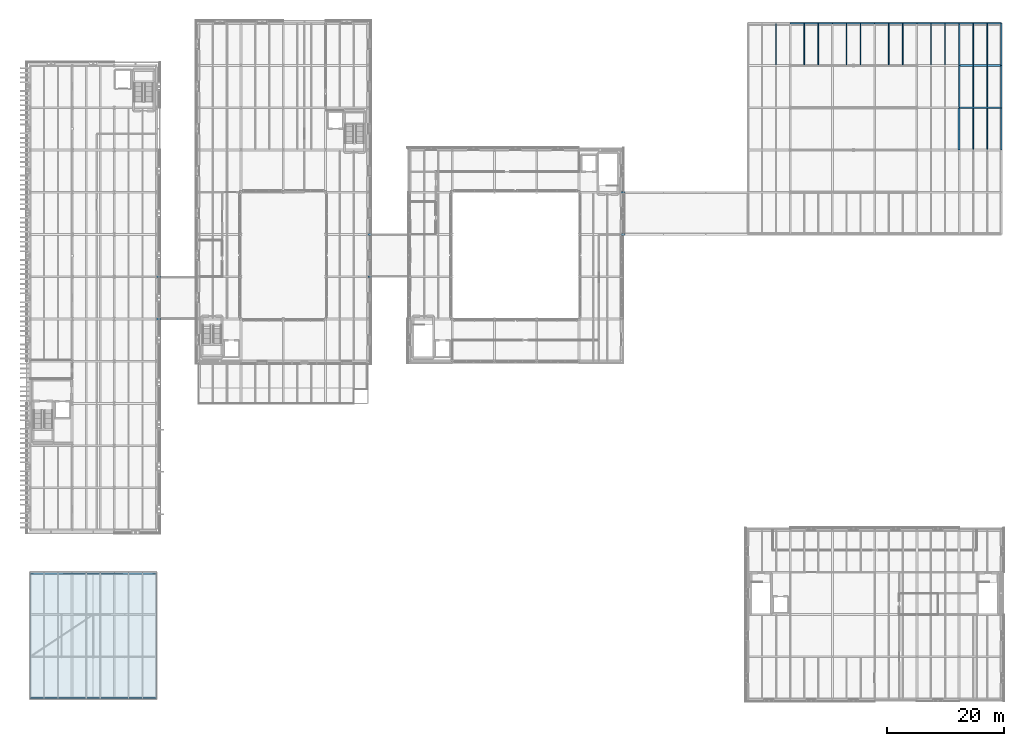
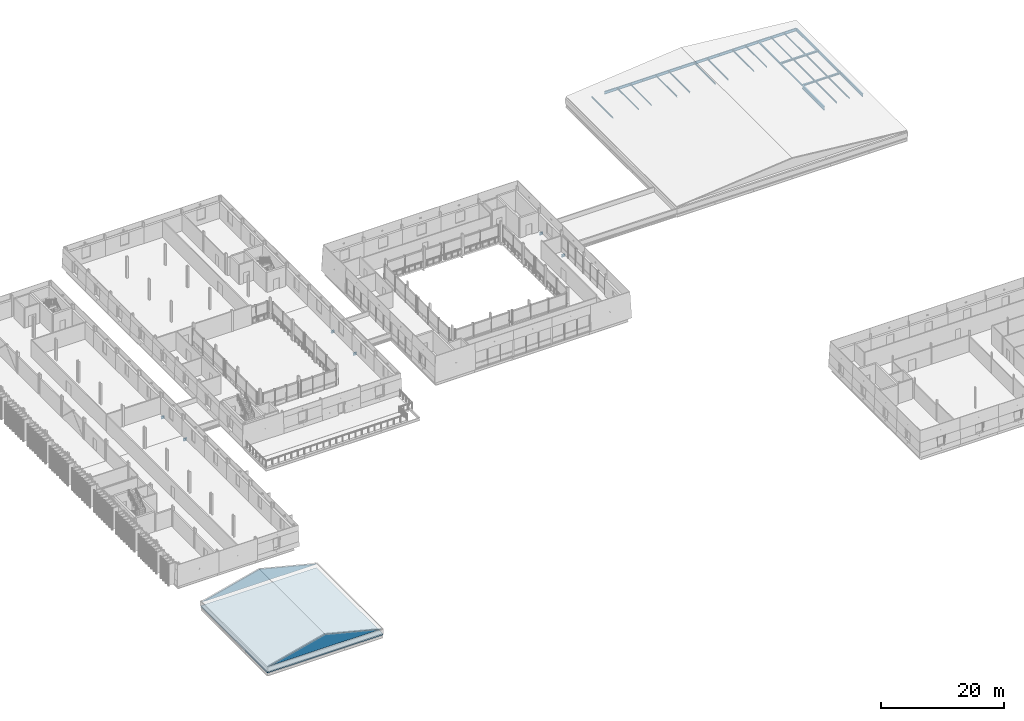
# One storey, part 36 of 91: 34 beams, 2 plates, 1 slab.
"""IFC4 building model written with IfcOpenShell, lengths in metres."""

from ifc_helpers import new_model, si_unit, direction, frame, origin, origin_2d, place, context, subcontext, project, spatial, polyline, i_section, outline, extrude, material, layer, layer_set, material_profile, profile_set, type_object, element, save


model = new_model("IFC4")

# Units and contexts
model_context = context("Model", 3, precision=1e-05, world=origin(), true_north=direction((0.0, 1.0)))
body_context = subcontext(model_context, "Body", "Model", "MODEL_VIEW")
ifc_project = project(units=[si_unit("LENGTHUNIT", "METRE"), si_unit("AREAUNIT", "SQUARE_METRE"), si_unit("VOLUMEUNIT", "CUBIC_METRE"), si_unit("PLANEANGLEUNIT", "RADIAN"), si_unit("MASSUNIT", "GRAM", prefix="KILO")], contexts=[model_context])

# Site, building, storey
site_placement = place(None, origin())
site = spatial("IfcSite", under=ifc_project, at=site_placement, CompositionType="ELEMENT")
building_placement = place(site_placement, origin())
building = spatial("IfcBuilding", under=site, at=building_placement, Name="Narikvali Park Central Library", CompositionType="ELEMENT")
storey_placement = place(building_placement, frame((0.0, 0.0, 14.39990234375)))
storey = spatial("IfcBuildingStorey", under=building, at=storey_placement, Name="L03", CompositionType="ELEMENT", Elevation=14.39990234375)

# Beams
ifc_material_1 = material(Name="Steel S355", Category="steel")
ifc_material_profile_1 = material_profile(ifc_material_1, i_section(OverallWidth=0.300048828125, OverallDepth=0.449951171875, WebThickness=0.013916015625, FlangeThickness=0.02587890625, FilletRadius=0.027099609375, at=origin_2d()), Name="HEB 450")
ifc_profile_set_1 = profile_set([ifc_material_profile_1], Name="Steel S355")
beam_type_1 = type_object("IfcBeamType", Name="Bridge Sliding Corbel Seat HEB450", PredefinedType="BEAM", material=ifc_profile_set_1)
for number, where, z_axis, x_axis, name in (
    (1, (21.60009765625, 64.800048828125, -0.89501953125), (1.0, 0.0, 0.0), (0.0, 1.0, 0.0), "BRG-1 L03 Bridge Sliding Corbel Seat 650 1"),
    (2, (21.60009765625, 72.0, -0.89501953125), (1.0, 0.0, 0.0), (0.0, 1.0, 0.0), "BRG-1 L03 Bridge Sliding Corbel Seat 650 2"),
    (3, (57.60009765625, 72.0, -0.89501953125), (1.0, 0.0, 0.0), (0.0, 1.0, 0.0), "BRG-2 L03 Bridge Sliding Corbel Seat 650 1"),
    (4, (57.60009765625, 79.199951171875, -0.89501953125), (1.0, 0.0, 0.0), (0.0, 1.0, 0.0), "BRG-2 L03 Bridge Sliding Corbel Seat 650 2"),
    (5, (100.800048828125, 79.199951171875, -0.934814453125), (1.0, 0.0, 0.0), (0.0, 1.0, 0.0), "BRG-3 L03 Bridge Sliding Corbel Seat 650 1"),
    (6, (100.800048828125, 86.39990234375, -0.934814453125), (1.0, 0.0, 0.0), (0.0, 1.0, 0.0), "BRG-3 L03 Bridge Sliding Corbel Seat 650 2"),
):
    element("IfcBeam", number, at=place(storey_placement, frame(where, z_axis=z_axis, x_axis=x_axis)), inside=storey, type_object=beam_type_1, Name=name, PredefinedType="BEAM", context=body_context, shape_type="SweptSolid", body=[
        extrude(i_section(OverallWidth=0.300048828125, OverallDepth=0.449951171875, WebThickness=0.013916015625, FlangeThickness=0.02587890625, FilletRadius=0.027099609375, at=origin_2d()), origin(), (0.0, 0.0, 1.0), 0.64990234375),
    ])
ifc_material_profile_2 = material_profile(ifc_material_1, i_section(OverallWidth=0.135009765625, OverallDepth=0.27001953125, WebThickness=0.006591796875, FlangeThickness=0.01025390625, FilletRadius=0.014892578125, at=origin_2d()), Name="IPE 270")
ifc_profile_set_2 = profile_set([ifc_material_profile_2], Name="Steel S355")
beam_type_2 = type_object("IfcBeamType", Name="Composite Floor Joist IPE270", PredefinedType="JOIST", material=ifc_profile_set_2)
for number, where, z_axis, x_axis, name in (
    (7, (127.199951171875, 108.14990234375, -0.375), (0.0, 1.0, 0.0), (-1.0, 0.0, 0.0), "V3 L03 Composite Joist 2"),
    (8, (132.0, 108.14990234375, -0.375), (0.0, 1.0, 0.0), (-1.0, 0.0, 0.0), "V3 L03 Composite Joist 1"),
    (9, (134.39990234375, 108.14990234375, -0.375), (0.0, 1.0, 0.0), (-1.0, 0.0, 0.0), "V3 L03 Composite Joist 2"),
    (10, (139.199951171875, 108.14990234375, -0.375), (0.0, 1.0, 0.0), (-1.0, 0.0, 0.0), "V3 L03 Composite Joist 1"),
    (11, (141.60009765625, 108.14990234375, -0.375), (0.0, 1.0, 0.0), (-1.0, 0.0, 0.0), "V3 L03 Composite Joist 2"),
    (12, (146.39990234375, 108.14990234375, -0.375), (0.0, 1.0, 0.0), (-1.0, 0.0, 0.0), "V3 L03 Composite Joist 1"),
    (13, (148.800048828125, 108.14990234375, -0.375), (0.0, 1.0, 0.0), (-1.0, 0.0, 0.0), "V3 L03 Composite Joist 2"),
    (14, (153.60009765625, 108.14990234375, -0.375), (0.0, 1.0, 0.0), (-1.0, 0.0, 0.0), "V3 L03 Composite Joist 1"),
    (15, (156.0, 108.14990234375, -0.375), (0.0, 1.0, 0.0), (-1.0, 0.0, 0.0), "V3 L03 Composite Joist 2"),
):
    element("IfcBeam", number, at=place(storey_placement, frame(where, z_axis=z_axis, x_axis=x_axis)), inside=storey, type_object=beam_type_2, Name=name, PredefinedType="JOIST", context=body_context, shape_type="SweptSolid", body=[
        extrude(i_section(OverallWidth=0.135009765625, OverallDepth=0.27001953125, WebThickness=0.006591796875, FlangeThickness=0.01025390625, FilletRadius=0.014892578125, at=origin_2d()), origin(), (0.0, 0.0, 1.0), 6.945068359375),
    ])
for number, where, z_axis, x_axis, name in (
    (16, (160.800048828125, 93.75, -0.375), (0.0, 1.0, 0.0), (-1.0, 0.0, 0.0), "V3 L03 Composite Joist 1"),
    (17, (163.199951171875, 93.75, -0.375), (0.0, 1.0, 0.0), (-1.0, 0.0, 0.0), "V3 L03 Composite Joist 2"),
):
    element("IfcBeam", number, at=place(storey_placement, frame(where, z_axis=z_axis, x_axis=x_axis)), inside=storey, type_object=beam_type_2, Name=name, PredefinedType="JOIST", context=body_context, shape_type="SweptSolid", body=[
        extrude(i_section(OverallWidth=0.135009765625, OverallDepth=0.27001953125, WebThickness=0.006591796875, FlangeThickness=0.01025390625, FilletRadius=0.014892578125, at=origin_2d()), origin(), (0.0, 0.0, 1.0), 6.89990234375),
    ])
for number, where, z_axis, x_axis, name in (
    (18, (160.800048828125, 100.949951171875, -0.375), (0.0, 1.0, 0.0), (-1.0, 0.0, 0.0), "V3 L03 Composite Joist 1"),
    (19, (163.199951171875, 100.949951171875, -0.375), (0.0, 1.0, 0.0), (-1.0, 0.0, 0.0), "V3 L03 Composite Joist 2"),
):
    element("IfcBeam", number, at=place(storey_placement, frame(where, z_axis=z_axis, x_axis=x_axis)), inside=storey, type_object=beam_type_2, Name=name, PredefinedType="JOIST", context=body_context, shape_type="SweptSolid", body=[
        extrude(i_section(OverallWidth=0.135009765625, OverallDepth=0.27001953125, WebThickness=0.006591796875, FlangeThickness=0.01025390625, FilletRadius=0.014892578125, at=origin_2d()), origin(), (0.0, 0.0, 1.0), 6.900146484375),
    ])
for number, where, z_axis, x_axis, name in (
    (20, (160.800048828125, 108.14990234375, -0.375), (0.0, 1.0, 0.0), (-1.0, 0.0, 0.0), "V3 L03 Composite Joist 1"),
    (21, (163.199951171875, 108.14990234375, -0.375), (0.0, 1.0, 0.0), (-1.0, 0.0, 0.0), "V3 L03 Composite Joist 2"),
):
    element("IfcBeam", number, at=place(storey_placement, frame(where, z_axis=z_axis, x_axis=x_axis)), inside=storey, type_object=beam_type_2, Name=name, PredefinedType="JOIST", context=body_context, shape_type="SweptSolid", body=[
        extrude(i_section(OverallWidth=0.135009765625, OverallDepth=0.27001953125, WebThickness=0.006591796875, FlangeThickness=0.01025390625, FilletRadius=0.014892578125, at=origin_2d()), origin(), (0.0, 0.0, 1.0), 6.945068359375),
    ])
ifc_material_profile_3 = material_profile(ifc_material_1, i_section(OverallWidth=0.300048828125, OverallDepth=0.699951171875, WebThickness=0.01708984375, FlangeThickness=0.031982421875, FilletRadius=0.027099609375, at=origin_2d()), Name="HEB 700")
ifc_profile_set_3 = profile_set([ifc_material_profile_3], Name="Steel S355")
beam_type_3 = type_object("IfcBeamType", Name="Long Span Girder HEB700", PredefinedType="BEAM", material=ifc_profile_set_3)
beam_1_placement = place(storey_placement, frame((158.39990234375, 93.60791015625, -0.58984375), z_axis=(0.0, 1.0, 0.0), x_axis=(-1.0, 0.0, 0.0)))
element("IfcBeam", 22, at=beam_1_placement, inside=storey, type_object=beam_type_3, Name="V3 L03 Girder Y", PredefinedType="BEAM", context=body_context, shape_type="SweptSolid", body=[
    extrude(i_section(OverallWidth=0.300048828125, OverallDepth=0.699951171875, WebThickness=0.01708984375, FlangeThickness=0.031982421875, FilletRadius=0.027099609375, at=origin_2d()), origin(), (0.0, 0.0, 1.0), 7.18408203125),
])
ifc_material_profile_4 = material_profile(ifc_material_1, i_section(OverallWidth=0.2099609375, OverallDepth=0.550048828125, WebThickness=0.010986328125, FlangeThickness=0.01708984375, FilletRadius=0.02392578125, at=origin_2d()), Name="IPE 550")
ifc_profile_set_4 = profile_set([ifc_material_profile_4], Name="Steel S355")
beam_type_4 = type_object("IfcBeamType", Name="Perimeter Spandrel IPE550", PredefinedType="SPANDREL", material=ifc_profile_set_4)
beam_2_placement = place(storey_placement, frame((129.60791015625, 115.199951171875, -0.514892578125), z_axis=(1.0, 0.0, 0.0), x_axis=(0.0, 1.0, 0.0)))
element("IfcBeam", 23, at=beam_2_placement, inside=storey, type_object=beam_type_4, Name="V3 L03 Girder X", PredefinedType="SPANDREL", context=body_context, shape_type="SweptSolid", body=[
    extrude(i_section(OverallWidth=0.2099609375, OverallDepth=0.550048828125, WebThickness=0.010986328125, FlangeThickness=0.01708984375, FilletRadius=0.02392578125, at=origin_2d()), origin(), (0.0, 0.0, 1.0), 7.18408203125),
])
for number, where, z_axis, x_axis, name in (
    (24, (136.80810546875, 115.199951171875, -0.514892578125), (1.0, 0.0, 0.0), (0.0, 1.0, 0.0), "V3 L03 Girder X"),
    (25, (144.008056640625, 115.199951171875, -0.514892578125), (1.0, 0.0, 0.0), (0.0, 1.0, 0.0), "V3 L03 Girder X"),
):
    element("IfcBeam", number, at=place(storey_placement, frame(where, z_axis=z_axis, x_axis=x_axis)), inside=storey, type_object=beam_type_4, Name=name, PredefinedType="SPANDREL", context=body_context, shape_type="SweptSolid", body=[
        extrude(i_section(OverallWidth=0.2099609375, OverallDepth=0.550048828125, WebThickness=0.010986328125, FlangeThickness=0.01708984375, FilletRadius=0.02392578125, at=origin_2d()), origin(), (0.0, 0.0, 1.0), 7.183837890625),
    ])
for number, where, z_axis, x_axis, name in (
    (26, (151.2080078125, 115.199951171875, -0.514892578125), (1.0, 0.0, 0.0), (0.0, 1.0, 0.0), "V3 L03 Girder X"),
    (27, (158.407958984375, 115.199951171875, -0.514892578125), (1.0, 0.0, 0.0), (0.0, 1.0, 0.0), "V3 L03 Girder X"),
    (28, (165.60009765625, 93.60791015625, -0.514892578125), (0.0, 1.0, 0.0), (-1.0, 0.0, 0.0), "V3 L03 Girder Y"),
):
    element("IfcBeam", number, at=place(storey_placement, frame(where, z_axis=z_axis, x_axis=x_axis)), inside=storey, type_object=beam_type_4, Name=name, PredefinedType="SPANDREL", context=body_context, shape_type="SweptSolid", body=[
        extrude(i_section(OverallWidth=0.2099609375, OverallDepth=0.550048828125, WebThickness=0.010986328125, FlangeThickness=0.01708984375, FilletRadius=0.02392578125, at=origin_2d()), origin(), (0.0, 0.0, 1.0), 7.18408203125),
    ])
for number, where, z_axis, x_axis, name in (
    (29, (165.60009765625, 100.80810546875, -0.514892578125), (0.0, 1.0, 0.0), (-1.0, 0.0, 0.0), "V3 L03 Girder Y"),
    (30, (165.60009765625, 108.008056640625, -0.514892578125), (0.0, 1.0, 0.0), (-1.0, 0.0, 0.0), "V3 L03 Girder Y"),
):
    element("IfcBeam", number, at=place(storey_placement, frame(where, z_axis=z_axis, x_axis=x_axis)), inside=storey, type_object=beam_type_4, Name=name, PredefinedType="SPANDREL", context=body_context, shape_type="SweptSolid", body=[
        extrude(i_section(OverallWidth=0.2099609375, OverallDepth=0.550048828125, WebThickness=0.010986328125, FlangeThickness=0.01708984375, FilletRadius=0.02392578125, at=origin_2d()), origin(), (0.0, 0.0, 1.0), 7.183837890625),
    ])
ifc_material_profile_5 = material_profile(ifc_material_1, i_section(OverallWidth=0.239990234375, OverallDepth=0.22998046875, WebThickness=0.007568359375, FlangeThickness=0.011962890625, FilletRadius=0.02099609375, at=origin_2d()), Name="HEA 240")
ifc_profile_set_5 = profile_set([ifc_material_profile_5], Name="Steel S355")
beam_type_5 = type_object("IfcBeamType", Name="Primary Girder HEA240", PredefinedType="BEAM", material=ifc_profile_set_5)
for number, where, z_axis, x_axis, name in (
    (31, (158.39990234375, 100.80810546875, -0.35498046875), (0.0, 1.0, 0.0), (-1.0, 0.0, 0.0), "V3 L03 Girder Y"),
    (32, (158.39990234375, 108.008056640625, -0.35498046875), (0.0, 1.0, 0.0), (-1.0, 0.0, 0.0), "V3 L03 Girder Y"),
):
    element("IfcBeam", number, at=place(storey_placement, frame(where, z_axis=z_axis, x_axis=x_axis)), inside=storey, type_object=beam_type_5, Name=name, PredefinedType="BEAM", context=body_context, shape_type="SweptSolid", body=[
        extrude(i_section(OverallWidth=0.239990234375, OverallDepth=0.22998046875, WebThickness=0.007568359375, FlangeThickness=0.011962890625, FilletRadius=0.02099609375, at=origin_2d()), origin(), (0.0, 0.0, 1.0), 7.183837890625),
    ])
ifc_material_profile_6 = material_profile(ifc_material_1, i_section(OverallWidth=0.300048828125, OverallDepth=0.31005859375, WebThickness=0.009033203125, FlangeThickness=0.015380859375, FilletRadius=0.027099609375, at=origin_2d()), Name="HEA 320")
ifc_profile_set_6 = profile_set([ifc_material_profile_6], Name="Steel S355")
beam_type_6 = type_object("IfcBeamType", Name="Primary Girder HEA320", PredefinedType="BEAM", material=ifc_profile_set_6)
for number, where, z_axis, x_axis, name in (
    (33, (158.407958984375, 100.800048828125, -0.39501953125), (1.0, 0.0, 0.0), (0.0, 1.0, 0.0), "V3 L03 Girder X"),
    (34, (158.407958984375, 108.0, -0.39501953125), (1.0, 0.0, 0.0), (0.0, 1.0, 0.0), "V3 L03 Girder X"),
):
    element("IfcBeam", number, at=place(storey_placement, frame(where, z_axis=z_axis, x_axis=x_axis)), inside=storey, type_object=beam_type_6, Name=name, PredefinedType="BEAM", context=body_context, shape_type="SweptSolid", body=[
        extrude(i_section(OverallWidth=0.300048828125, OverallDepth=0.31005859375, WebThickness=0.009033203125, FlangeThickness=0.015380859375, FilletRadius=0.027099609375, at=origin_2d()), origin(), (0.0, 0.0, 1.0), 7.18408203125),
    ])

# Plates
ifc_material_2 = material(Name="White Honed Limestone Cladding", Category="masonry")
ifc_layer_1 = layer(ifc_material_2, 0.179931640625, Name="White Honed Limestone Cladding")
ifc_layer_set_1 = layer_set([ifc_layer_1], Name="White Honed Limestone Cladding")
plate_type = type_object("IfcPlateType", Name="Classical Limestone Gable Tympanum 180", PredefinedType="SHEET", material=ifc_layer_set_1)
plate_1_placement = place(storey_placement, frame((0.14990234375, 0.14990234375, 0.920166015625), z_axis=(0.0, -1.0, 0.0), x_axis=(1.0, 0.0, 0.0)))
element("IfcPlate", 35, at=plate_1_placement, inside=storey, type_object=plate_type, Name="V2 L03 Classical Gable Pediment Tympanum S", PredefinedType="SHEET", context=body_context, shape_type="SweptSolid", body=[
    extrude(outline(polyline([(0.0, 0.0), (21.300048828125, 0.0), (10.650146484375, 2.7099609375), (0.0, 0.0)])), origin(), (0.0, 0.0, -1.0), 0.179931640625),
])
plate_2_placement = place(storey_placement, frame((21.449951171875, 21.449951171875, 0.920166015625), z_axis=(0.0, 1.0, 0.0), x_axis=(-1.0, 0.0, 0.0)))
element("IfcPlate", 36, at=plate_2_placement, inside=storey, type_object=plate_type, Name="V2 L03 Classical Gable Pediment Tympanum N", PredefinedType="SHEET", context=body_context, shape_type="SweptSolid", body=[
    extrude(outline(polyline([(0.0, 0.0), (21.300048828125, 0.0), (10.64990234375, 2.7099609375), (0.0, 0.0)])), origin(), (0.0, 0.0, -1.0), 0.179931640625),
])

# Slab
ifc_material_3 = material(Name="Concrete C35/45", Category="concrete")
ifc_layer_2 = layer(ifc_material_3, 0.239990234375, Name="Concrete C35/45")
ifc_layer_set_2 = layer_set([ifc_layer_2], Name="Concrete C35/45")
slab_type = type_object("IfcSlabType", Name="Flat Acoustic Roof Slab 240", PredefinedType="ROOF", material=ifc_layer_set_2)
slab_placement = place(storey_placement, frame((0.0, 0.0, -0.239990234375)))
element("IfcSlab", 37, at=slab_placement, inside=storey, type_object=slab_type, Name="V2 L03 Structural Slab", PredefinedType="ROOF", context=body_context, shape_type="SweptSolid", body=[
    extrude(outline(polyline([(0.0, 0.0), (21.60009765625, 0.0), (21.60009765625, 21.60009765625), (0.0, 21.60009765625), (0.0, 0.0)])), origin(), (0.0, 0.0, 1.0), 0.239990234375),
])

save(model, "model.ifc")
